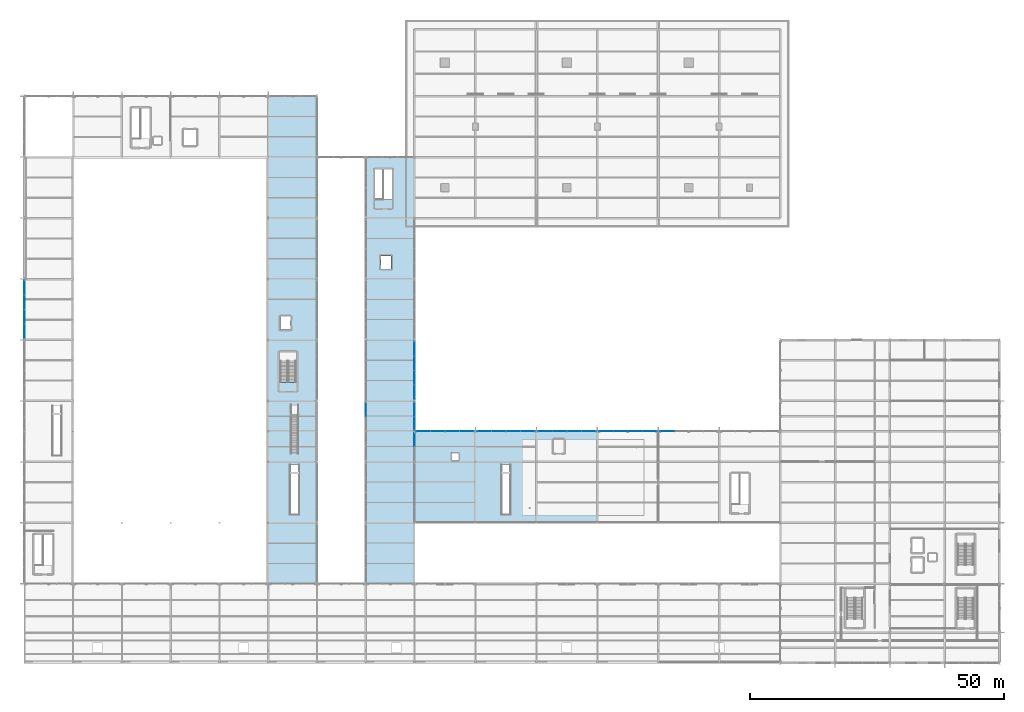
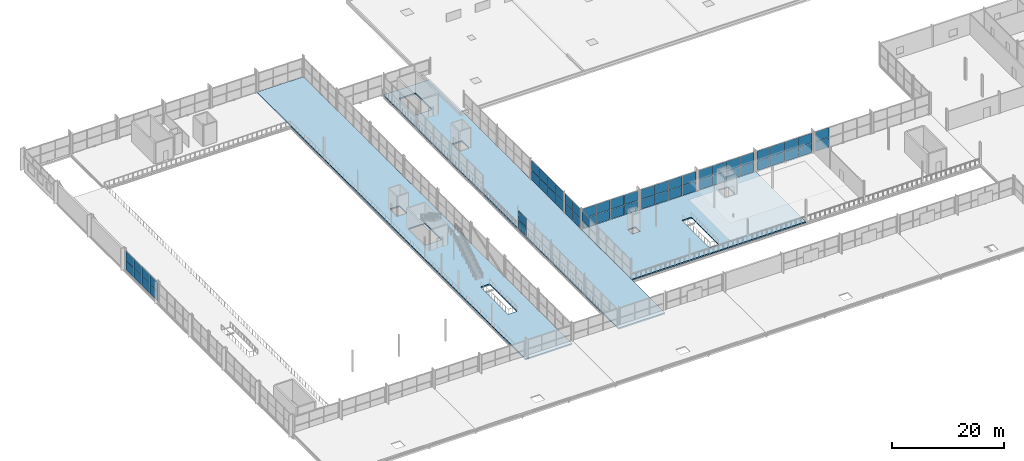
# One storey, part 122 of 159: 57 plates, 3 slabs, 10 elements without a shape of their own.
"""IFC4 building model written with IfcOpenShell, lengths in metres."""

import ifcopenshell
import ifcopenshell.guid

model = None  # the IFC model being written
_history = None  # IfcOwnerHistory: only IFC2X3 demands one
_inside = {}  # id of a spatial element -> (the spatial element, [elements in it])
_under = {}  # id of a project, library or spatial element -> (it, [spatial elements below it])
_declared = {}  # id of a project -> (the project, [libraries it declares])
_typed = {}  # id of a type object -> (the type object, [elements of that type])
_made_of = {}  # id of a material, layer set ... -> (it, [elements and type objects made of it])


def new_model(schema):
    """Start an empty IFC model of exactly this schema.

    Asked for "IFC4X3", IfcOpenShell would pick the latest addendum, in which some entities
    have other attributes; the version numbers below select the first issue.
    IFC2X3 requires an IfcOwnerHistory on every rooted entity: one is made here for all.
    """
    global model, _history
    if schema == "IFC4X3":
        model = ifcopenshell.file(schema_version=(4, 3, 0, 0))
    else:
        model = ifcopenshell.file(schema=schema)
    _inside.clear()
    _under.clear()
    _declared.clear()
    _typed.clear()
    _made_of.clear()
    _history = None
    if model.schema == "IFC2X3":
        org = make("IfcOrganization", Name="unknown")
        user = make(
            "IfcPersonAndOrganization",
            ThePerson=make("IfcPerson", FamilyName="unknown"),
            TheOrganization=org,
        )
        app = make(
            "IfcApplication",
            ApplicationDeveloper=org,
            Version="unknown",
            ApplicationFullName="unknown",
            ApplicationIdentifier="unknown",
        )
        _history = make(
            "IfcOwnerHistory",
            OwningUser=user,
            OwningApplication=app,
            ChangeAction="ADDED",
            CreationDate=0,
        )
    return model


def make(cls, **values):
    """One entity of the class cls with the attributes given. An attribute that is None is left unset."""
    return model.create_entity(
        cls, **{name: value for name, value in values.items() if value is not None}
    )


def rooted(cls, **values):
    """An entity with a GlobalId (a new one), such as an element, a storey or a relation."""
    return make(cls, GlobalId=ifcopenshell.guid.new(), OwnerHistory=_history, **values)


def si_unit(unit_type, name, prefix=None):
    """IfcSIUnit, for example si_unit("LENGTHUNIT", "METRE", prefix="MILLI")."""
    return make("IfcSIUnit", UnitType=unit_type, Prefix=prefix, Name=name)


def assignment(units):
    """IfcUnitAssignment: the units of a project."""
    return None if units is None else make("IfcUnitAssignment", Units=units)


def point(xyz):
    """IfcCartesianPoint."""
    return None if xyz is None else make("IfcCartesianPoint", Coordinates=xyz)


def direction(xyz):
    """IfcDirection."""
    return None if xyz is None else make("IfcDirection", DirectionRatios=xyz)


def frame(location, z_axis=None, x_axis=None):
    """IfcAxis2Placement3D, a coordinate frame: its origin and axes. An axis left out is left unset."""
    return make(
        "IfcAxis2Placement3D",
        Location=point(location),
        Axis=direction(z_axis),
        RefDirection=direction(x_axis),
    )


def frame_2d(location, x_axis=None):
    """IfcAxis2Placement2D, a coordinate frame in the plane: its origin and x axis."""
    return make(
        "IfcAxis2Placement2D", Location=point(location), RefDirection=direction(x_axis)
    )


def origin():
    """The frame at (0, 0, 0) with its axes left unset."""
    return frame((0.0, 0.0, 0.0))


def origin_2d():
    """The frame at (0, 0) in the plane with its x axis left unset."""
    return frame_2d((0.0, 0.0))


def place(relative_to, where):
    """IfcLocalPlacement: puts the frame where relative to a parent placement (None: the world)."""
    return make(
        "IfcLocalPlacement", PlacementRelTo=relative_to, RelativePlacement=where
    )


def context(
    kind, dimensions, precision=None, world=None, true_north=None, identifier=None
):
    """IfcGeometricRepresentationContext, for example the 3D "Model" context."""
    return make(
        "IfcGeometricRepresentationContext",
        ContextIdentifier=identifier,
        ContextType=kind,
        CoordinateSpaceDimension=dimensions,
        Precision=precision,
        WorldCoordinateSystem=world,
        TrueNorth=true_north,
    )


def subcontext(parent, identifier, kind, view, scale=None):
    """IfcGeometricRepresentationSubContext, for example "Body" below "Model"."""
    return make(
        "IfcGeometricRepresentationSubContext",
        ContextIdentifier=identifier,
        ContextType=kind,
        ParentContext=parent,
        TargetScale=scale,
        TargetView=view,
    )


def project(units=None, contexts=None):
    """IfcProject with its units and contexts."""
    return rooted(
        "IfcProject",
        Name="project",
        RepresentationContexts=contexts,
        UnitsInContext=assignment(units),
    )


def spatial(cls, under=None, at=None, **own):
    """A site, building, storey or space (cls), placed at a placement, below another one or the project."""
    s = rooted(cls, ObjectPlacement=at, **own)
    if under is not None:
        _under.setdefault(under.id(), (under, []))[1].append(s)
    return s


def polyline(points):
    """IfcPolyline through the points."""
    return make("IfcPolyline", Points=[point(p) for p in points])


def profile(cls, at=None, kind="AREA", **sizes):
    """A parametric profile (cls). Its sizes go by their IFC names, for example OverallWidth=200.0."""
    return make(cls, ProfileType=kind, Position=at, **sizes)


def rectangle(**sizes):
    """IfcRectangleProfileDef."""
    return profile("IfcRectangleProfileDef", **sizes)


def outline(outer, holes=None, kind="AREA"):
    """IfcArbitraryClosedProfileDef: a profile drawn as a closed curve; with holes, ...WithVoids."""
    if holes is None:
        return make("IfcArbitraryClosedProfileDef", ProfileType=kind, OuterCurve=outer)
    return make(
        "IfcArbitraryProfileDefWithVoids",
        ProfileType=kind,
        OuterCurve=outer,
        InnerCurves=holes,
    )


def extrude(swept, where, along, depth):
    """IfcExtrudedAreaSolid: the profile swept, set in the frame where, extruded along a direction by depth."""
    return make(
        "IfcExtrudedAreaSolid",
        SweptArea=swept,
        Position=where,
        ExtrudedDirection=direction(along),
        Depth=depth,
    )


def shape(context_of_items, identifier, shape_type, items):
    """IfcShapeRepresentation: the items that make up one representation, for example the "Body"."""
    return make(
        "IfcShapeRepresentation",
        ContextOfItems=context_of_items,
        RepresentationIdentifier=identifier,
        RepresentationType=shape_type,
        Items=items,
    )


def material(Name=None, Category=None):
    """IfcMaterial."""
    return make("IfcMaterial", Name=Name, Category=Category)


def layer(
    of_material, thickness, ventilated=None, Name=None, Category=None, Priority=None
):
    """IfcMaterialLayer: one layer of a wall or slab, of a material (None: an air gap)."""
    return make(
        "IfcMaterialLayer",
        Material=of_material,
        LayerThickness=thickness,
        IsVentilated=ventilated,
        Name=Name,
        Category=Category,
        Priority=Priority,
    )


def layer_set(layers, Name=None):
    """IfcMaterialLayerSet."""
    return make("IfcMaterialLayerSet", MaterialLayers=layers, LayerSetName=Name)


def made_of(thing, what):
    """Note that an element or type object is made of a material, layer set ...; save() writes the relation."""
    if what is not None:
        _made_of.setdefault(what.id(), (what, []))[1].append(thing)
    return thing


def type_object(cls, material=None, **own):
    """A type object (cls), such as IfcWallType, which elements share."""
    return made_of(rooted(cls, **own), material)


def element(
    cls,
    number,
    at=None,
    inside=None,
    cuts=None,
    type_object=None,
    material=None,
    context=None,
    identifier="Body",
    shape_type=None,
    held_by="IfcProductDefinitionShape",
    body=None,
    shapes=None,
    **own,
):
    """One element of the class cls, such as IfcWall. Its Tag is "e" and its number.

    at: its placement. inside: the storey or other place that contains it. cuts: it is an
    opening in that element (IfcRelVoidsElement). A single representation is given by context,
    identifier, shape_type and body (its items); several are given by shapes. held_by: the class
    of the entity that holds the representations. save() writes the other relations.
    """
    e = rooted(cls, Tag="e%d" % number, ObjectPlacement=at, **own)
    if body is not None:
        shapes = [shape(context, identifier, shape_type, body)]
    if shapes is not None:
        e.Representation = make(held_by, Representations=shapes)
    if inside is not None:
        _inside.setdefault(inside.id(), (inside, []))[1].append(e)
    if cuts is not None:
        rooted(
            "IfcRelVoidsElement", RelatingBuildingElement=cuts, RelatedOpeningElement=e
        )
    if type_object is not None:
        _typed.setdefault(type_object.id(), (type_object, []))[1].append(e)
    return made_of(e, material)


def aggregate(whole, parts):
    """IfcRelAggregates: a whole, such as a stair, and the parts it consists of."""
    return rooted("IfcRelAggregates", RelatingObject=whole, RelatedObjects=parts)


def save(model, path):
    """Write the relations noted so far, then the file.

    IfcRelAggregates (storeys below a building ...), IfcRelContainedInSpatialStructure (elements
    in a storey), IfcRelDefinesByType, IfcRelAssociatesMaterial and IfcRelDeclares: one each for
    every whole, place, type object, material and project.
    """
    for whole, parts in _under.values():
        aggregate(whole, parts)
    for where, things in _inside.values():
        rooted(
            "IfcRelContainedInSpatialStructure",
            RelatedElements=things,
            RelatingStructure=where,
        )
    for kind, things in _typed.values():
        rooted("IfcRelDefinesByType", RelatedObjects=things, RelatingType=kind)
    for what, things in _made_of.values():
        rooted("IfcRelAssociatesMaterial", RelatedObjects=things, RelatingMaterial=what)
    for by, libraries in _declared.values():
        rooted("IfcRelDeclares", RelatingContext=by, RelatedDefinitions=libraries)
    model.write(path)


model = new_model("IFC4")

# Units and contexts
model_context = context("Model", 3, precision=1e-05, world=origin(), true_north=direction((0.0, 1.0)))
body_context = subcontext(model_context, "Body", "Model", "MODEL_VIEW")
ifc_project = project(units=[si_unit("LENGTHUNIT", "METRE"), si_unit("AREAUNIT", "SQUARE_METRE"), si_unit("VOLUMEUNIT", "CUBIC_METRE"), si_unit("PLANEANGLEUNIT", "RADIAN"), si_unit("MASSUNIT", "GRAM", prefix="KILO")], contexts=[model_context])

# Site, building, storey
site_placement = place(None, origin())
site = spatial("IfcSite", under=ifc_project, at=site_placement, CompositionType="ELEMENT")
building_placement = place(site_placement, origin())
building = spatial("IfcBuilding", under=site, at=building_placement, Name="Merenkruunu Market Hall", CompositionType="ELEMENT")
storey_placement = place(building_placement, frame((0.0, 0.0, 5.39990234375)))
storey = spatial("IfcBuildingStorey", under=building, at=storey_placement, Name="L01", CompositionType="ELEMENT", Elevation=5.39990234375)

# Curtain wall, plates
ifc_material_1 = material(Name="Powder-coated aluminium", Category="aluminium")
curtain_wall_type_1 = type_object("IfcCurtainWallType", Name="Glazed Curtain Wall CW02", PredefinedType="USERDEFINED", material=ifc_material_1)
curtain_wall_1_placement = place(storey_placement, origin())
curtain_wall_1 = element("IfcCurtainWall", 1, at=curtain_wall_1_placement, inside=storey, type_object=curtain_wall_type_1, Name="CW-L01-CWM02-014", ObjectType="GLAZED_FACADE", PredefinedType="USERDEFINED")
ifc_material_2 = material(Name="Triple low-E insulated glass", Category="glass")
ifc_layer_1 = layer(ifc_material_2, 0.035888671875)
ifc_layer_set_1 = layer_set([ifc_layer_1], Name="Triple low-E insulated glass")
plate_type_1 = type_object("IfcPlateType", Name="Curtain Wall Glazing Panel CWP02", PredefinedType="CURTAIN_PANEL", material=ifc_layer_set_1)
plate_1_placement = place(storey_placement, frame((0.0, 65.324951171875, 0.06005859375), z_axis=(0.0, 0.0, 1.0), x_axis=(0.0, 1.0, 0.0)))
plate_1 = element("IfcPlate", 2, at=plate_1_placement, type_object=plate_type_1, Name="CW02 panel 1.1", PredefinedType="CURTAIN_PANEL", context=body_context, shape_type="SweptSolid", body=[
    extrude(rectangle(XDim=2.77001953125, YDim=0.035888671875, at=origin_2d()), origin(), (0.0, 0.0, 1.0), 2.034912109375),
])
plate_2_placement = place(storey_placement, frame((0.0, 65.324951171875, 2.1552734375), z_axis=(0.0, 0.0, 1.0), x_axis=(0.0, 1.0, 0.0)))
plate_2 = element("IfcPlate", 3, at=plate_2_placement, type_object=plate_type_1, Name="CW02 panel 1.2", PredefinedType="CURTAIN_PANEL", context=body_context, shape_type="SweptSolid", body=[
    extrude(rectangle(XDim=2.77001953125, YDim=0.035888671875, at=origin_2d()), origin(), (0.0, 0.0, 1.0), 2.034912109375),
])
plate_3_placement = place(storey_placement, frame((0.0, 68.169921875, 0.06005859375), z_axis=(0.0, 0.0, 1.0), x_axis=(0.0, 1.0, 0.0)))
plate_3 = element("IfcPlate", 4, at=plate_3_placement, type_object=plate_type_1, Name="CW02 panel 2.1", PredefinedType="CURTAIN_PANEL", context=body_context, shape_type="SweptSolid", body=[
    extrude(rectangle(XDim=2.800048828125, YDim=0.035888671875, at=origin_2d()), origin(), (0.0, 0.0, 1.0), 2.034912109375),
])
plate_4_placement = place(storey_placement, frame((0.0, 68.169921875, 2.1552734375), z_axis=(0.0, 0.0, 1.0), x_axis=(0.0, 1.0, 0.0)))
plate_4 = element("IfcPlate", 5, at=plate_4_placement, type_object=plate_type_1, Name="CW02 panel 2.2", PredefinedType="CURTAIN_PANEL", context=body_context, shape_type="SweptSolid", body=[
    extrude(rectangle(XDim=2.800048828125, YDim=0.035888671875, at=origin_2d()), origin(), (0.0, 0.0, 1.0), 2.034912109375),
])
plate_5_placement = place(storey_placement, frame((0.0, 71.030029296875, 0.06005859375), z_axis=(0.0, 0.0, 1.0), x_axis=(0.0, 1.0, 0.0)))
plate_5 = element("IfcPlate", 6, at=plate_5_placement, type_object=plate_type_1, Name="CW02 panel 3.1", PredefinedType="CURTAIN_PANEL", context=body_context, shape_type="SweptSolid", body=[
    extrude(rectangle(XDim=2.800048828125, YDim=0.035888671875, at=origin_2d()), origin(), (0.0, 0.0, 1.0), 2.034912109375),
])
plate_6_placement = place(storey_placement, frame((0.0, 71.030029296875, 2.1552734375), z_axis=(0.0, 0.0, 1.0), x_axis=(0.0, 1.0, 0.0)))
plate_6 = element("IfcPlate", 7, at=plate_6_placement, type_object=plate_type_1, Name="CW02 panel 3.2", PredefinedType="CURTAIN_PANEL", context=body_context, shape_type="SweptSolid", body=[
    extrude(rectangle(XDim=2.800048828125, YDim=0.035888671875, at=origin_2d()), origin(), (0.0, 0.0, 1.0), 2.034912109375),
])
plate_7_placement = place(storey_placement, frame((0.0, 73.875, 0.06005859375), z_axis=(0.0, 0.0, 1.0), x_axis=(0.0, 1.0, 0.0)))
plate_7 = element("IfcPlate", 8, at=plate_7_placement, type_object=plate_type_1, Name="CW02 panel 4.1", PredefinedType="CURTAIN_PANEL", context=body_context, shape_type="SweptSolid", body=[
    extrude(rectangle(XDim=2.77001953125, YDim=0.035888671875, at=origin_2d()), origin(), (0.0, 0.0, 1.0), 2.034912109375),
])
plate_8_placement = place(storey_placement, frame((0.0, 73.875, 2.1552734375), z_axis=(0.0, 0.0, 1.0), x_axis=(0.0, 1.0, 0.0)))
plate_8 = element("IfcPlate", 9, at=plate_8_placement, type_object=plate_type_1, Name="CW02 panel 4.2", PredefinedType="CURTAIN_PANEL", context=body_context, shape_type="SweptSolid", body=[
    extrude(rectangle(XDim=2.77001953125, YDim=0.035888671875, at=origin_2d()), origin(), (0.0, 0.0, 1.0), 2.034912109375),
])
aggregate(curtain_wall_1, [plate_1, plate_2, plate_3, plate_4, plate_5, plate_6, plate_7, plate_8])

curtain_wall_type_2 = type_object("IfcCurtainWallType", Name="Glazed Curtain Wall CW11", PredefinedType="USERDEFINED", material=ifc_material_1)
curtain_wall_2_placement = place(storey_placement, origin())
curtain_wall_2 = element("IfcCurtainWall", 10, at=curtain_wall_2_placement, inside=storey, type_object=curtain_wall_type_2, Name="CW-L01-CWM03-157", ObjectType="GLAZED_FACADE", PredefinedType="USERDEFINED")
ifc_layer_2 = layer(ifc_material_2, 0.0380859375)
ifc_layer_set_2 = layer_set([ifc_layer_2], Name="Triple low-E insulated glass")
plate_type_2 = type_object("IfcPlateType", Name="Curtain Wall Glazing Panel CWP04", PredefinedType="CURTAIN_PANEL", material=ifc_layer_set_2)
plate_9_placement = place(storey_placement, frame((76.800048828125, 49.945068359375, 0.06005859375), z_axis=(0.0, 0.0, 1.0), x_axis=(0.0, -1.0, 0.0)))
plate_9 = element("IfcPlate", 11, at=plate_9_placement, type_object=plate_type_2, Name="CW11 panel 1.1", PredefinedType="CURTAIN_PANEL", context=body_context, shape_type="SweptSolid", body=[
    extrude(rectangle(XDim=2.6298828125, YDim=0.0380859375, at=origin_2d()), origin(), (0.0, 0.0, 1.0), 2.110107421875),
])
plate_10_placement = place(storey_placement, frame((76.800048828125, 49.945068359375, 2.22998046875), z_axis=(0.0, 0.0, 1.0), x_axis=(0.0, -1.0, 0.0)))
plate_10 = element("IfcPlate", 12, at=plate_10_placement, type_object=plate_type_2, Name="CW11 panel 1.2", PredefinedType="CURTAIN_PANEL", context=body_context, shape_type="SweptSolid", body=[
    extrude(rectangle(XDim=2.6298828125, YDim=0.0380859375, at=origin_2d()), origin(), (0.0, 0.0, 1.0), 2.110107421875),
])
plate_11_placement = place(storey_placement, frame((76.800048828125, 47.2548828125, 0.06005859375), z_axis=(0.0, 0.0, 1.0), x_axis=(0.0, -1.0, 0.0)))
plate_11 = element("IfcPlate", 13, at=plate_11_placement, type_object=plate_type_2, Name="CW11 panel 2.1", PredefinedType="CURTAIN_PANEL", context=body_context, shape_type="SweptSolid", body=[
    extrude(rectangle(XDim=2.6298828125, YDim=0.0380859375, at=origin_2d()), origin(), (0.0, 0.0, 1.0), 2.110107421875),
])
plate_12_placement = place(storey_placement, frame((76.800048828125, 47.2548828125, 2.22998046875), z_axis=(0.0, 0.0, 1.0), x_axis=(0.0, -1.0, 0.0)))
plate_12 = element("IfcPlate", 14, at=plate_12_placement, type_object=plate_type_2, Name="CW11 panel 2.2", PredefinedType="CURTAIN_PANEL", context=body_context, shape_type="SweptSolid", body=[
    extrude(rectangle(XDim=2.6298828125, YDim=0.0380859375, at=origin_2d()), origin(), (0.0, 0.0, 1.0), 2.110107421875),
])
aggregate(curtain_wall_2, [plate_9, plate_10, plate_11, plate_12])

curtain_wall_3_placement = place(storey_placement, origin())
curtain_wall_3 = element("IfcCurtainWall", 15, at=curtain_wall_3_placement, inside=storey, type_object=curtain_wall_type_2, Name="CW-L01-CWM03-160", ObjectType="GLAZED_FACADE", PredefinedType="USERDEFINED")
plate_13_placement = place(storey_placement, frame((76.800048828125, 61.875, 0.06005859375), z_axis=(0.0, 0.0, 1.0), x_axis=(0.0, -1.0, 0.0)))
plate_13 = element("IfcPlate", 16, at=plate_13_placement, type_object=plate_type_2, Name="CW11 panel 1.1", PredefinedType="CURTAIN_PANEL", context=body_context, shape_type="SweptSolid", body=[
    extrude(rectangle(XDim=2.77001953125, YDim=0.0380859375, at=origin_2d()), origin(), (0.0, 0.0, 1.0), 2.110107421875),
])
plate_14_placement = place(storey_placement, frame((76.800048828125, 61.875, 2.22998046875), z_axis=(0.0, 0.0, 1.0), x_axis=(0.0, -1.0, 0.0)))
plate_14 = element("IfcPlate", 17, at=plate_14_placement, type_object=plate_type_2, Name="CW11 panel 1.2", PredefinedType="CURTAIN_PANEL", context=body_context, shape_type="SweptSolid", body=[
    extrude(rectangle(XDim=2.77001953125, YDim=0.0380859375, at=origin_2d()), origin(), (0.0, 0.0, 1.0), 2.110107421875),
])
plate_15_placement = place(storey_placement, frame((76.800048828125, 59.030029296875, 0.06005859375), z_axis=(0.0, 0.0, 1.0), x_axis=(0.0, -1.0, 0.0)))
plate_15 = element("IfcPlate", 18, at=plate_15_placement, type_object=plate_type_2, Name="CW11 panel 2.1", PredefinedType="CURTAIN_PANEL", context=body_context, shape_type="SweptSolid", body=[
    extrude(rectangle(XDim=2.800048828125, YDim=0.0380859375, at=origin_2d()), origin(), (0.0, 0.0, 1.0), 2.110107421875),
])
plate_16_placement = place(storey_placement, frame((76.800048828125, 59.030029296875, 2.22998046875), z_axis=(0.0, 0.0, 1.0), x_axis=(0.0, -1.0, 0.0)))
plate_16 = element("IfcPlate", 19, at=plate_16_placement, type_object=plate_type_2, Name="CW11 panel 2.2", PredefinedType="CURTAIN_PANEL", context=body_context, shape_type="SweptSolid", body=[
    extrude(rectangle(XDim=2.800048828125, YDim=0.0380859375, at=origin_2d()), origin(), (0.0, 0.0, 1.0), 2.110107421875),
])
plate_17_placement = place(storey_placement, frame((76.800048828125, 56.169921875, 0.06005859375), z_axis=(0.0, 0.0, 1.0), x_axis=(0.0, -1.0, 0.0)))
plate_17 = element("IfcPlate", 20, at=plate_17_placement, type_object=plate_type_2, Name="CW11 panel 3.1", PredefinedType="CURTAIN_PANEL", context=body_context, shape_type="SweptSolid", body=[
    extrude(rectangle(XDim=2.800048828125, YDim=0.0380859375, at=origin_2d()), origin(), (0.0, 0.0, 1.0), 2.110107421875),
])
plate_18_placement = place(storey_placement, frame((76.800048828125, 56.169921875, 2.22998046875), z_axis=(0.0, 0.0, 1.0), x_axis=(0.0, -1.0, 0.0)))
plate_18 = element("IfcPlate", 21, at=plate_18_placement, type_object=plate_type_2, Name="CW11 panel 3.2", PredefinedType="CURTAIN_PANEL", context=body_context, shape_type="SweptSolid", body=[
    extrude(rectangle(XDim=2.800048828125, YDim=0.0380859375, at=origin_2d()), origin(), (0.0, 0.0, 1.0), 2.110107421875),
])
plate_19_placement = place(storey_placement, frame((76.800048828125, 53.324951171875, 0.06005859375), z_axis=(0.0, 0.0, 1.0), x_axis=(0.0, -1.0, 0.0)))
plate_19 = element("IfcPlate", 22, at=plate_19_placement, type_object=plate_type_2, Name="CW11 panel 4.1", PredefinedType="CURTAIN_PANEL", context=body_context, shape_type="SweptSolid", body=[
    extrude(rectangle(XDim=2.77001953125, YDim=0.0380859375, at=origin_2d()), origin(), (0.0, 0.0, 1.0), 2.110107421875),
])
plate_20_placement = place(storey_placement, frame((76.800048828125, 53.324951171875, 2.22998046875), z_axis=(0.0, 0.0, 1.0), x_axis=(0.0, -1.0, 0.0)))
plate_20 = element("IfcPlate", 23, at=plate_20_placement, type_object=plate_type_2, Name="CW11 panel 4.2", PredefinedType="CURTAIN_PANEL", context=body_context, shape_type="SweptSolid", body=[
    extrude(rectangle(XDim=2.77001953125, YDim=0.0380859375, at=origin_2d()), origin(), (0.0, 0.0, 1.0), 2.110107421875),
])
aggregate(curtain_wall_3, [plate_13, plate_14, plate_15, plate_16, plate_17, plate_18, plate_19, plate_20])

curtain_wall_type_3 = type_object("IfcCurtainWallType", Name="Glazed Curtain Wall CW05", PredefinedType="USERDEFINED", material=ifc_material_1)
curtain_wall_4_placement = place(storey_placement, origin())
curtain_wall_4 = element("IfcCurtainWall", 24, at=curtain_wall_4_placement, inside=storey, type_object=curtain_wall_type_3, Name="CW-L01-CWM02-183", ObjectType="GLAZED_FACADE", PredefinedType="USERDEFINED")
plate_21_placement = place(storey_placement, frame((78.52490234375, 45.60009765625, 0.06005859375), z_axis=(0.0, 0.0, 1.0), x_axis=(1.0, 0.0, 0.0)))
plate_21 = element("IfcPlate", 25, at=plate_21_placement, type_object=plate_type_2, Name="CW05 panel 1.1", PredefinedType="CURTAIN_PANEL", context=body_context, shape_type="SweptSolid", body=[
    extrude(rectangle(XDim=2.77001953125, YDim=0.0380859375, at=origin_2d()), origin(), (0.0, 0.0, 1.0), 2.110107421875),
])
plate_22_placement = place(storey_placement, frame((78.52490234375, 45.60009765625, 2.22998046875), z_axis=(0.0, 0.0, 1.0), x_axis=(1.0, 0.0, 0.0)))
plate_22 = element("IfcPlate", 26, at=plate_22_placement, type_object=plate_type_2, Name="CW05 panel 1.2", PredefinedType="CURTAIN_PANEL", context=body_context, shape_type="SweptSolid", body=[
    extrude(rectangle(XDim=2.77001953125, YDim=0.0380859375, at=origin_2d()), origin(), (0.0, 0.0, 1.0), 2.110107421875),
])
plate_23_placement = place(storey_placement, frame((81.3701171875, 45.60009765625, 0.06005859375), z_axis=(0.0, 0.0, 1.0), x_axis=(1.0, 0.0, 0.0)))
plate_23 = element("IfcPlate", 27, at=plate_23_placement, type_object=plate_type_2, Name="CW05 panel 2.1", PredefinedType="CURTAIN_PANEL", context=body_context, shape_type="SweptSolid", body=[
    extrude(rectangle(XDim=2.800048828125, YDim=0.0380859375, at=origin_2d()), origin(), (0.0, 0.0, 1.0), 2.110107421875),
])
plate_24_placement = place(storey_placement, frame((81.3701171875, 45.60009765625, 2.22998046875), z_axis=(0.0, 0.0, 1.0), x_axis=(1.0, 0.0, 0.0)))
plate_24 = element("IfcPlate", 28, at=plate_24_placement, type_object=plate_type_2, Name="CW05 panel 2.2", PredefinedType="CURTAIN_PANEL", context=body_context, shape_type="SweptSolid", body=[
    extrude(rectangle(XDim=2.800048828125, YDim=0.0380859375, at=origin_2d()), origin(), (0.0, 0.0, 1.0), 2.110107421875),
])
plate_25_placement = place(storey_placement, frame((84.22998046875, 45.60009765625, 0.06005859375), z_axis=(0.0, 0.0, 1.0), x_axis=(1.0, 0.0, 0.0)))
plate_25 = element("IfcPlate", 29, at=plate_25_placement, type_object=plate_type_2, Name="CW05 panel 3.1", PredefinedType="CURTAIN_PANEL", context=body_context, shape_type="SweptSolid", body=[
    extrude(rectangle(XDim=2.800048828125, YDim=0.0380859375, at=origin_2d()), origin(), (0.0, 0.0, 1.0), 2.110107421875),
])
plate_26_placement = place(storey_placement, frame((84.22998046875, 45.60009765625, 2.22998046875), z_axis=(0.0, 0.0, 1.0), x_axis=(1.0, 0.0, 0.0)))
plate_26 = element("IfcPlate", 30, at=plate_26_placement, type_object=plate_type_2, Name="CW05 panel 3.2", PredefinedType="CURTAIN_PANEL", context=body_context, shape_type="SweptSolid", body=[
    extrude(rectangle(XDim=2.800048828125, YDim=0.0380859375, at=origin_2d()), origin(), (0.0, 0.0, 1.0), 2.110107421875),
])
plate_27_placement = place(storey_placement, frame((87.074951171875, 45.60009765625, 0.06005859375), z_axis=(0.0, 0.0, 1.0), x_axis=(1.0, 0.0, 0.0)))
plate_27 = element("IfcPlate", 31, at=plate_27_placement, type_object=plate_type_2, Name="CW05 panel 4.1", PredefinedType="CURTAIN_PANEL", context=body_context, shape_type="SweptSolid", body=[
    extrude(rectangle(XDim=2.77001953125, YDim=0.0380859375, at=origin_2d()), origin(), (0.0, 0.0, 1.0), 2.110107421875),
])
plate_28_placement = place(storey_placement, frame((87.074951171875, 45.60009765625, 2.22998046875), z_axis=(0.0, 0.0, 1.0), x_axis=(1.0, 0.0, 0.0)))
plate_28 = element("IfcPlate", 32, at=plate_28_placement, type_object=plate_type_2, Name="CW05 panel 4.2", PredefinedType="CURTAIN_PANEL", context=body_context, shape_type="SweptSolid", body=[
    extrude(rectangle(XDim=2.77001953125, YDim=0.0380859375, at=origin_2d()), origin(), (0.0, 0.0, 1.0), 2.110107421875),
])
aggregate(curtain_wall_4, [plate_21, plate_22, plate_23, plate_24, plate_25, plate_26, plate_27, plate_28])

curtain_wall_5_placement = place(storey_placement, origin())
curtain_wall_5 = element("IfcCurtainWall", 33, at=curtain_wall_5_placement, inside=storey, type_object=curtain_wall_type_3, Name="CW-L01-CWM02-185", ObjectType="GLAZED_FACADE", PredefinedType="USERDEFINED")
plate_29_placement = place(storey_placement, frame((90.52490234375, 45.60009765625, 0.06005859375), z_axis=(0.0, 0.0, 1.0), x_axis=(1.0, 0.0, 0.0)))
plate_29 = element("IfcPlate", 34, at=plate_29_placement, type_object=plate_type_2, Name="CW05 panel 1.1", PredefinedType="CURTAIN_PANEL", context=body_context, shape_type="SweptSolid", body=[
    extrude(rectangle(XDim=2.77001953125, YDim=0.0380859375, at=origin_2d()), origin(), (0.0, 0.0, 1.0), 2.110107421875),
])
plate_30_placement = place(storey_placement, frame((90.52490234375, 45.60009765625, 2.22998046875), z_axis=(0.0, 0.0, 1.0), x_axis=(1.0, 0.0, 0.0)))
plate_30 = element("IfcPlate", 35, at=plate_30_placement, type_object=plate_type_2, Name="CW05 panel 1.2", PredefinedType="CURTAIN_PANEL", context=body_context, shape_type="SweptSolid", body=[
    extrude(rectangle(XDim=2.77001953125, YDim=0.0380859375, at=origin_2d()), origin(), (0.0, 0.0, 1.0), 2.110107421875),
])
plate_31_placement = place(storey_placement, frame((93.3701171875, 45.60009765625, 0.06005859375), z_axis=(0.0, 0.0, 1.0), x_axis=(1.0, 0.0, 0.0)))
plate_31 = element("IfcPlate", 36, at=plate_31_placement, type_object=plate_type_2, Name="CW05 panel 2.1", PredefinedType="CURTAIN_PANEL", context=body_context, shape_type="SweptSolid", body=[
    extrude(rectangle(XDim=2.800048828125, YDim=0.0380859375, at=origin_2d()), origin(), (0.0, 0.0, 1.0), 2.110107421875),
])
plate_32_placement = place(storey_placement, frame((93.3701171875, 45.60009765625, 2.22998046875), z_axis=(0.0, 0.0, 1.0), x_axis=(1.0, 0.0, 0.0)))
plate_32 = element("IfcPlate", 37, at=plate_32_placement, type_object=plate_type_2, Name="CW05 panel 2.2", PredefinedType="CURTAIN_PANEL", context=body_context, shape_type="SweptSolid", body=[
    extrude(rectangle(XDim=2.800048828125, YDim=0.0380859375, at=origin_2d()), origin(), (0.0, 0.0, 1.0), 2.110107421875),
])
plate_33_placement = place(storey_placement, frame((96.22998046875, 45.60009765625, 0.06005859375), z_axis=(0.0, 0.0, 1.0), x_axis=(1.0, 0.0, 0.0)))
plate_33 = element("IfcPlate", 38, at=plate_33_placement, type_object=plate_type_2, Name="CW05 panel 3.1", PredefinedType="CURTAIN_PANEL", context=body_context, shape_type="SweptSolid", body=[
    extrude(rectangle(XDim=2.800048828125, YDim=0.0380859375, at=origin_2d()), origin(), (0.0, 0.0, 1.0), 2.110107421875),
])
plate_34_placement = place(storey_placement, frame((96.22998046875, 45.60009765625, 2.22998046875), z_axis=(0.0, 0.0, 1.0), x_axis=(1.0, 0.0, 0.0)))
plate_34 = element("IfcPlate", 39, at=plate_34_placement, type_object=plate_type_2, Name="CW05 panel 3.2", PredefinedType="CURTAIN_PANEL", context=body_context, shape_type="SweptSolid", body=[
    extrude(rectangle(XDim=2.800048828125, YDim=0.0380859375, at=origin_2d()), origin(), (0.0, 0.0, 1.0), 2.110107421875),
])
plate_35_placement = place(storey_placement, frame((99.074951171875, 45.60009765625, 0.06005859375), z_axis=(0.0, 0.0, 1.0), x_axis=(1.0, 0.0, 0.0)))
plate_35 = element("IfcPlate", 40, at=plate_35_placement, type_object=plate_type_2, Name="CW05 panel 4.1", PredefinedType="CURTAIN_PANEL", context=body_context, shape_type="SweptSolid", body=[
    extrude(rectangle(XDim=2.77001953125, YDim=0.0380859375, at=origin_2d()), origin(), (0.0, 0.0, 1.0), 2.110107421875),
])
plate_36_placement = place(storey_placement, frame((99.074951171875, 45.60009765625, 2.22998046875), z_axis=(0.0, 0.0, 1.0), x_axis=(1.0, 0.0, 0.0)))
plate_36 = element("IfcPlate", 41, at=plate_36_placement, type_object=plate_type_2, Name="CW05 panel 4.2", PredefinedType="CURTAIN_PANEL", context=body_context, shape_type="SweptSolid", body=[
    extrude(rectangle(XDim=2.77001953125, YDim=0.0380859375, at=origin_2d()), origin(), (0.0, 0.0, 1.0), 2.110107421875),
])
aggregate(curtain_wall_5, [plate_29, plate_30, plate_31, plate_32, plate_33, plate_34, plate_35, plate_36])

curtain_wall_6_placement = place(storey_placement, origin())
curtain_wall_6 = element("IfcCurtainWall", 42, at=curtain_wall_6_placement, inside=storey, type_object=curtain_wall_type_3, Name="CW-L01-CWM02-189", ObjectType="GLAZED_FACADE", PredefinedType="USERDEFINED")
plate_37_placement = place(storey_placement, frame((102.52490234375, 45.60009765625, 0.06005859375), z_axis=(0.0, 0.0, 1.0), x_axis=(1.0, 0.0, 0.0)))
plate_37 = element("IfcPlate", 43, at=plate_37_placement, type_object=plate_type_2, Name="CW05 panel 1.1", PredefinedType="CURTAIN_PANEL", context=body_context, shape_type="SweptSolid", body=[
    extrude(rectangle(XDim=2.77001953125, YDim=0.0380859375, at=origin_2d()), origin(), (0.0, 0.0, 1.0), 2.110107421875),
])
plate_38_placement = place(storey_placement, frame((102.52490234375, 45.60009765625, 2.22998046875), z_axis=(0.0, 0.0, 1.0), x_axis=(1.0, 0.0, 0.0)))
plate_38 = element("IfcPlate", 44, at=plate_38_placement, type_object=plate_type_2, Name="CW05 panel 1.2", PredefinedType="CURTAIN_PANEL", context=body_context, shape_type="SweptSolid", body=[
    extrude(rectangle(XDim=2.77001953125, YDim=0.0380859375, at=origin_2d()), origin(), (0.0, 0.0, 1.0), 2.110107421875),
])
plate_39_placement = place(storey_placement, frame((105.3701171875, 45.60009765625, 0.06005859375), z_axis=(0.0, 0.0, 1.0), x_axis=(1.0, 0.0, 0.0)))
plate_39 = element("IfcPlate", 45, at=plate_39_placement, type_object=plate_type_2, Name="CW05 panel 2.1", PredefinedType="CURTAIN_PANEL", context=body_context, shape_type="SweptSolid", body=[
    extrude(rectangle(XDim=2.800048828125, YDim=0.0380859375, at=origin_2d()), origin(), (0.0, 0.0, 1.0), 2.110107421875),
])
plate_40_placement = place(storey_placement, frame((105.3701171875, 45.60009765625, 2.22998046875), z_axis=(0.0, 0.0, 1.0), x_axis=(1.0, 0.0, 0.0)))
plate_40 = element("IfcPlate", 46, at=plate_40_placement, type_object=plate_type_2, Name="CW05 panel 2.2", PredefinedType="CURTAIN_PANEL", context=body_context, shape_type="SweptSolid", body=[
    extrude(rectangle(XDim=2.800048828125, YDim=0.0380859375, at=origin_2d()), origin(), (0.0, 0.0, 1.0), 2.110107421875),
])
plate_41_placement = place(storey_placement, frame((108.22998046875, 45.60009765625, 0.06005859375), z_axis=(0.0, 0.0, 1.0), x_axis=(1.0, 0.0, 0.0)))
plate_41 = element("IfcPlate", 47, at=plate_41_placement, type_object=plate_type_2, Name="CW05 panel 3.1", PredefinedType="CURTAIN_PANEL", context=body_context, shape_type="SweptSolid", body=[
    extrude(rectangle(XDim=2.800048828125, YDim=0.0380859375, at=origin_2d()), origin(), (0.0, 0.0, 1.0), 2.110107421875),
])
plate_42_placement = place(storey_placement, frame((108.22998046875, 45.60009765625, 2.22998046875), z_axis=(0.0, 0.0, 1.0), x_axis=(1.0, 0.0, 0.0)))
plate_42 = element("IfcPlate", 48, at=plate_42_placement, type_object=plate_type_2, Name="CW05 panel 3.2", PredefinedType="CURTAIN_PANEL", context=body_context, shape_type="SweptSolid", body=[
    extrude(rectangle(XDim=2.800048828125, YDim=0.0380859375, at=origin_2d()), origin(), (0.0, 0.0, 1.0), 2.110107421875),
])
plate_43_placement = place(storey_placement, frame((111.074951171875, 45.60009765625, 0.06005859375), z_axis=(0.0, 0.0, 1.0), x_axis=(1.0, 0.0, 0.0)))
plate_43 = element("IfcPlate", 49, at=plate_43_placement, type_object=plate_type_2, Name="CW05 panel 4.1", PredefinedType="CURTAIN_PANEL", context=body_context, shape_type="SweptSolid", body=[
    extrude(rectangle(XDim=2.77001953125, YDim=0.0380859375, at=origin_2d()), origin(), (0.0, 0.0, 1.0), 2.110107421875),
])
plate_44_placement = place(storey_placement, frame((111.074951171875, 45.60009765625, 2.22998046875), z_axis=(0.0, 0.0, 1.0), x_axis=(1.0, 0.0, 0.0)))
plate_44 = element("IfcPlate", 50, at=plate_44_placement, type_object=plate_type_2, Name="CW05 panel 4.2", PredefinedType="CURTAIN_PANEL", context=body_context, shape_type="SweptSolid", body=[
    extrude(rectangle(XDim=2.77001953125, YDim=0.0380859375, at=origin_2d()), origin(), (0.0, 0.0, 1.0), 2.110107421875),
])
aggregate(curtain_wall_6, [plate_37, plate_38, plate_39, plate_40, plate_41, plate_42, plate_43, plate_44])

curtain_wall_7_placement = place(storey_placement, origin())
curtain_wall_7 = element("IfcCurtainWall", 51, at=curtain_wall_7_placement, inside=storey, type_object=curtain_wall_type_3, Name="CW-L01-CWM02-193", ObjectType="GLAZED_FACADE", PredefinedType="USERDEFINED")
plate_45_placement = place(storey_placement, frame((114.52490234375, 45.60009765625, 0.06005859375), z_axis=(0.0, 0.0, 1.0), x_axis=(1.0, 0.0, 0.0)))
plate_45 = element("IfcPlate", 52, at=plate_45_placement, type_object=plate_type_2, Name="CW05 panel 1.1", PredefinedType="CURTAIN_PANEL", context=body_context, shape_type="SweptSolid", body=[
    extrude(rectangle(XDim=2.77001953125, YDim=0.0380859375, at=origin_2d()), origin(), (0.0, 0.0, 1.0), 2.110107421875),
])
plate_46_placement = place(storey_placement, frame((114.52490234375, 45.60009765625, 2.22998046875), z_axis=(0.0, 0.0, 1.0), x_axis=(1.0, 0.0, 0.0)))
plate_46 = element("IfcPlate", 53, at=plate_46_placement, type_object=plate_type_2, Name="CW05 panel 1.2", PredefinedType="CURTAIN_PANEL", context=body_context, shape_type="SweptSolid", body=[
    extrude(rectangle(XDim=2.77001953125, YDim=0.0380859375, at=origin_2d()), origin(), (0.0, 0.0, 1.0), 2.110107421875),
])
plate_47_placement = place(storey_placement, frame((117.3701171875, 45.60009765625, 0.06005859375), z_axis=(0.0, 0.0, 1.0), x_axis=(1.0, 0.0, 0.0)))
plate_47 = element("IfcPlate", 54, at=plate_47_placement, type_object=plate_type_2, Name="CW05 panel 2.1", PredefinedType="CURTAIN_PANEL", context=body_context, shape_type="SweptSolid", body=[
    extrude(rectangle(XDim=2.800048828125, YDim=0.0380859375, at=origin_2d()), origin(), (0.0, 0.0, 1.0), 2.110107421875),
])
plate_48_placement = place(storey_placement, frame((117.3701171875, 45.60009765625, 2.22998046875), z_axis=(0.0, 0.0, 1.0), x_axis=(1.0, 0.0, 0.0)))
plate_48 = element("IfcPlate", 55, at=plate_48_placement, type_object=plate_type_2, Name="CW05 panel 2.2", PredefinedType="CURTAIN_PANEL", context=body_context, shape_type="SweptSolid", body=[
    extrude(rectangle(XDim=2.800048828125, YDim=0.0380859375, at=origin_2d()), origin(), (0.0, 0.0, 1.0), 2.110107421875),
])
plate_49_placement = place(storey_placement, frame((120.22998046875, 45.60009765625, 0.06005859375), z_axis=(0.0, 0.0, 1.0), x_axis=(1.0, 0.0, 0.0)))
plate_49 = element("IfcPlate", 56, at=plate_49_placement, type_object=plate_type_2, Name="CW05 panel 3.1", PredefinedType="CURTAIN_PANEL", context=body_context, shape_type="SweptSolid", body=[
    extrude(rectangle(XDim=2.800048828125, YDim=0.0380859375, at=origin_2d()), origin(), (0.0, 0.0, 1.0), 2.110107421875),
])
plate_50_placement = place(storey_placement, frame((120.22998046875, 45.60009765625, 2.22998046875), z_axis=(0.0, 0.0, 1.0), x_axis=(1.0, 0.0, 0.0)))
plate_50 = element("IfcPlate", 57, at=plate_50_placement, type_object=plate_type_2, Name="CW05 panel 3.2", PredefinedType="CURTAIN_PANEL", context=body_context, shape_type="SweptSolid", body=[
    extrude(rectangle(XDim=2.800048828125, YDim=0.0380859375, at=origin_2d()), origin(), (0.0, 0.0, 1.0), 2.110107421875),
])
plate_51_placement = place(storey_placement, frame((123.074951171875, 45.60009765625, 0.06005859375), z_axis=(0.0, 0.0, 1.0), x_axis=(1.0, 0.0, 0.0)))
plate_51 = element("IfcPlate", 58, at=plate_51_placement, type_object=plate_type_2, Name="CW05 panel 4.1", PredefinedType="CURTAIN_PANEL", context=body_context, shape_type="SweptSolid", body=[
    extrude(rectangle(XDim=2.77001953125, YDim=0.0380859375, at=origin_2d()), origin(), (0.0, 0.0, 1.0), 2.110107421875),
])
plate_52_placement = place(storey_placement, frame((123.074951171875, 45.60009765625, 2.22998046875), z_axis=(0.0, 0.0, 1.0), x_axis=(1.0, 0.0, 0.0)))
plate_52 = element("IfcPlate", 59, at=plate_52_placement, type_object=plate_type_2, Name="CW05 panel 4.2", PredefinedType="CURTAIN_PANEL", context=body_context, shape_type="SweptSolid", body=[
    extrude(rectangle(XDim=2.77001953125, YDim=0.0380859375, at=origin_2d()), origin(), (0.0, 0.0, 1.0), 2.110107421875),
])
aggregate(curtain_wall_7, [plate_45, plate_46, plate_47, plate_48, plate_49, plate_50, plate_51, plate_52])

curtain_wall_8_placement = place(storey_placement, origin())
curtain_wall_8 = element("IfcCurtainWall", 60, at=curtain_wall_8_placement, inside=storey, type_object=curtain_wall_type_3, Name="CW-L01-CWM02-197", ObjectType="GLAZED_FACADE", PredefinedType="USERDEFINED")
plate_53_placement = place(storey_placement, frame((126.52490234375, 45.60009765625, 0.06005859375), z_axis=(0.0, 0.0, 1.0), x_axis=(1.0, 0.0, 0.0)))
plate_53 = element("IfcPlate", 61, at=plate_53_placement, type_object=plate_type_2, Name="CW05 panel 1.1", PredefinedType="CURTAIN_PANEL", context=body_context, shape_type="SweptSolid", body=[
    extrude(rectangle(XDim=2.77001953125, YDim=0.0380859375, at=origin_2d()), origin(), (0.0, 0.0, 1.0), 2.110107421875),
])
plate_54_placement = place(storey_placement, frame((126.52490234375, 45.60009765625, 2.22998046875), z_axis=(0.0, 0.0, 1.0), x_axis=(1.0, 0.0, 0.0)))
plate_54 = element("IfcPlate", 62, at=plate_54_placement, type_object=plate_type_2, Name="CW05 panel 1.2", PredefinedType="CURTAIN_PANEL", context=body_context, shape_type="SweptSolid", body=[
    extrude(rectangle(XDim=2.77001953125, YDim=0.0380859375, at=origin_2d()), origin(), (0.0, 0.0, 1.0), 2.110107421875),
])
aggregate(curtain_wall_8, [plate_53, plate_54])

# Curtain wall, plate
curtain_wall_type_4 = type_object("IfcCurtainWallType", Name="Glazed Curtain Wall CW14", PredefinedType="USERDEFINED", material=ifc_material_1)
curtain_wall_9_placement = place(storey_placement, origin())
curtain_wall_9 = element("IfcCurtainWall", 63, at=curtain_wall_9_placement, inside=storey, type_object=curtain_wall_type_4, Name="CW-L01-CWM01-155", ObjectType="GLAZED_FACADE", PredefinedType="USERDEFINED")
ifc_layer_3 = layer(ifc_material_2, 0.035888671875)
ifc_layer_set_3 = layer_set([ifc_layer_3], Name="Triple low-E insulated glass")
plate_type_3 = type_object("IfcPlateType", Name="Curtain Wall Glazing Panel CWP09", PredefinedType="CURTAIN_PANEL", material=ifc_layer_set_3)
plate_55_placement = place(storey_placement, frame((76.800048828125, 43.945068359375, 2.1298828125), z_axis=(0.0, 0.0, 1.0), x_axis=(0.0, 1.0, 0.0)))
plate_55 = element("IfcPlate", 64, at=plate_55_placement, type_object=plate_type_3, Name="CW14 panel 2.2", PredefinedType="CURTAIN_PANEL", context=body_context, shape_type="SweptSolid", body=[
    extrude(rectangle(XDim=2.6298828125, YDim=0.035888671875, at=origin_2d()), origin(), (0.0, 0.0, 1.0), 2.010009765625),
])
aggregate(curtain_wall_9, [plate_55])

# Curtain wall, plates
curtain_wall_type_5 = type_object("IfcCurtainWallType", Name="Glazed Curtain Wall CW16", PredefinedType="USERDEFINED", material=ifc_material_1)
curtain_wall_10_placement = place(storey_placement, origin())
curtain_wall_10 = element("IfcCurtainWall", 65, at=curtain_wall_10_placement, inside=storey, type_object=curtain_wall_type_5, Name="CW-L01-CWM02-173", ObjectType="GLAZED_FACADE", PredefinedType="USERDEFINED")
ifc_layer_4 = layer(ifc_material_2, 0.0380859375)
ifc_layer_set_4 = layer_set([ifc_layer_4], Name="Triple low-E insulated glass")
plate_type_4 = type_object("IfcPlateType", Name="Curtain Wall Glazing Panel CWP10", PredefinedType="CURTAIN_PANEL", material=ifc_layer_set_4)
plate_56_placement = place(storey_placement, frame((67.199951171875, 49.875, 0.06005859375), z_axis=(0.0, 0.0, 1.0), x_axis=(0.0, 1.0, 0.0)))
plate_56 = element("IfcPlate", 66, at=plate_56_placement, type_object=plate_type_4, Name="CW16 panel 4.1", PredefinedType="CURTAIN_PANEL", context=body_context, shape_type="SweptSolid", body=[
    extrude(rectangle(XDim=2.77001953125, YDim=0.0380859375, at=origin_2d()), origin(), (0.0, 0.0, 1.0), 1.93505859375),
])
plate_57_placement = place(storey_placement, frame((67.199951171875, 49.875, 2.05517578125), z_axis=(0.0, 0.0, 1.0), x_axis=(0.0, 1.0, 0.0)))
plate_57 = element("IfcPlate", 67, at=plate_57_placement, type_object=plate_type_4, Name="CW16 panel 4.2", PredefinedType="CURTAIN_PANEL", context=body_context, shape_type="SweptSolid", body=[
    extrude(rectangle(XDim=2.77001953125, YDim=0.0380859375, at=origin_2d()), origin(), (0.0, 0.0, 1.0), 1.93505859375),
])
aggregate(curtain_wall_10, [plate_56, plate_57])

# Slabs
ifc_material_3 = material(Name="Concrete C35/45", Category="concrete")
ifc_layer_5 = layer(ifc_material_3, 0.280029296875)
ifc_layer_set_5 = layer_set([ifc_layer_5], Name="Concrete C35/45")
slab_type_1 = type_object("IfcSlabType", Name="Suspended Floor Slab FS03", PredefinedType="FLOOR", material=ifc_layer_set_5)
slab_1_placement = place(storey_placement, frame((0.0, 0.0, -0.27978515625)))
element("IfcSlab", 68, at=slab_1_placement, inside=storey, type_object=slab_type_1, Name="SL-L01-V1E", PredefinedType="FLOOR", context=body_context, shape_type="SweptSolid", body=[
    extrude(outline(polyline([(48.0, 15.60009765625), (57.60009765625, 15.60009765625), (57.60009765625, 111.60009765625), (48.0, 111.60009765625), (48.0, 15.60009765625)]), holes=[polyline([(50.18994140625, 55.260009765625), (53.610107421875, 55.260009765625), (53.610107421875, 61.2099609375), (50.18994140625, 61.2099609375), (50.18994140625, 55.260009765625)]), polyline([(52.235107421875, 29.199951171875), (54.1650390625, 29.199951171875), (54.1650390625, 39.050048828125), (52.235107421875, 39.050048828125), (52.235107421875, 29.199951171875)]), polyline([(50.419921875, 65.6201171875), (52.3798828125, 65.6201171875), (52.3798828125, 68.179931640625), (50.419921875, 68.179931640625), (50.419921875, 65.6201171875)])]), origin(), (0.0, 0.0, 1.0), 0.27978515625),
])
slab_2_placement = place(storey_placement, frame((0.0, 0.0, -0.27978515625)))
element("IfcSlab", 69, at=slab_2_placement, inside=storey, type_object=slab_type_1, Name="SL-L01-V2W", PredefinedType="FLOOR", context=body_context, shape_type="SweptSolid", body=[
    extrude(outline(polyline([(76.800048828125, 27.60009765625), (112.800048828125, 27.60009765625), (112.800048828125, 45.60009765625), (76.800048828125, 45.60009765625), (76.800048828125, 27.60009765625)]), holes=[polyline([(93.8349609375, 29.199951171875), (95.764892578125, 29.199951171875), (95.764892578125, 39.050048828125), (93.8349609375, 39.050048828125), (93.8349609375, 29.199951171875)]), polyline([(104.219970703125, 41.419921875), (106.179931640625, 41.419921875), (106.179931640625, 43.97998046875), (104.219970703125, 43.97998046875), (104.219970703125, 41.419921875)]), polyline([(84.0, 39.800048828125), (85.60009765625, 39.800048828125), (85.60009765625, 41.39990234375), (84.0, 41.39990234375), (84.0, 39.800048828125)])]), origin(), (0.0, 0.0, 1.0), 0.27978515625),
])
ifc_layer_6 = layer(ifc_material_3, 0.31005859375)
ifc_layer_set_6 = layer_set([ifc_layer_6], Name="Concrete C35/45")
slab_type_2 = type_object("IfcSlabType", Name="Suspended Floor Slab FS04", PredefinedType="FLOOR", material=ifc_layer_set_6)
slab_3_placement = place(storey_placement, frame((0.0, 0.0, -0.309814453125)))
element("IfcSlab", 70, at=slab_3_placement, inside=storey, type_object=slab_type_2, Name="SL-L01-V4P", PredefinedType="FLOOR", context=body_context, shape_type="SweptSolid", body=[
    extrude(outline(polyline([(67.199951171875, 15.60009765625), (76.800048828125, 15.60009765625), (76.800048828125, 99.60009765625), (67.199951171875, 99.60009765625), (67.199951171875, 15.60009765625)]), holes=[polyline([(68.989990234375, 91.260009765625), (72.409912109375, 91.260009765625), (72.409912109375, 97.2099609375), (68.989990234375, 97.2099609375), (68.989990234375, 91.260009765625)]), polyline([(70.219970703125, 77.6201171875), (72.179931640625, 77.6201171875), (72.179931640625, 80.179931640625), (70.219970703125, 80.179931640625), (70.219970703125, 77.6201171875)])]), origin(), (0.0, 0.0, 1.0), 0.309814453125),
])

save(model, "model.ifc")
